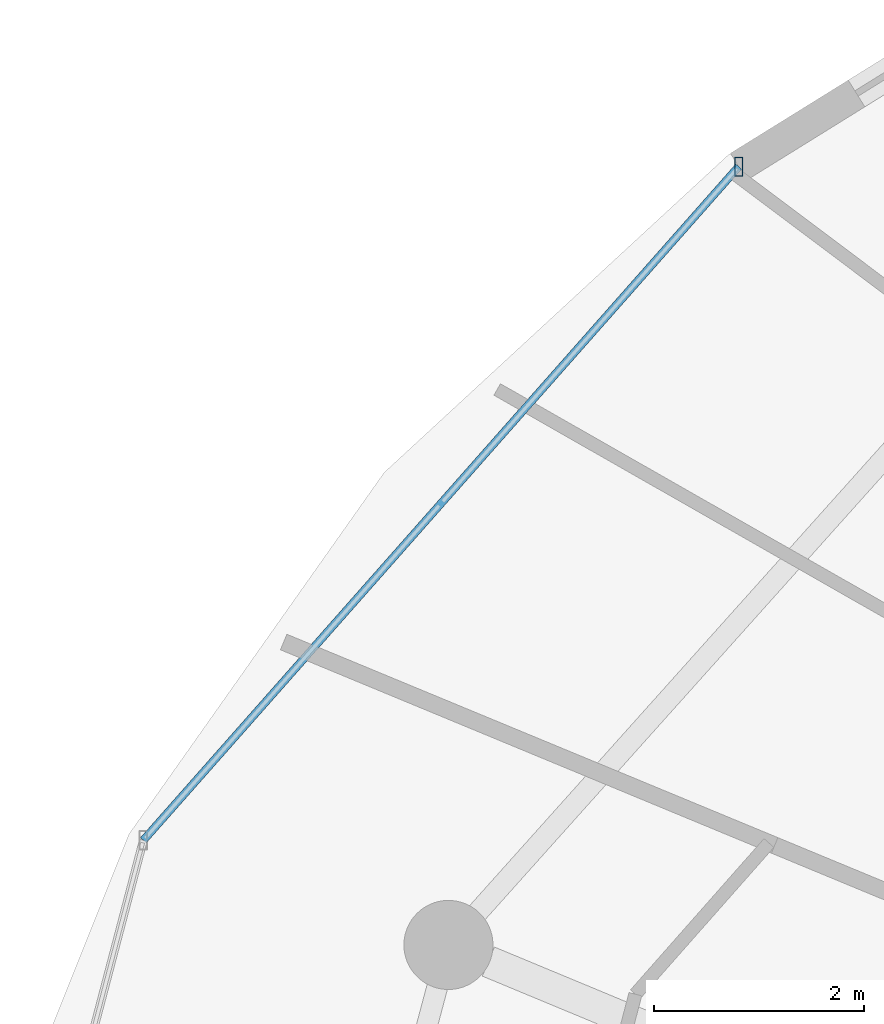
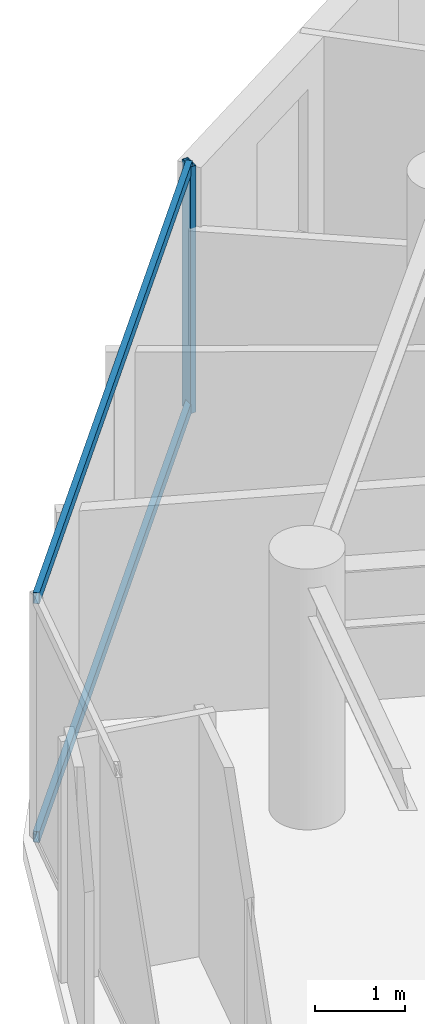
# One storey, part 16 of 31: 3 members, 1 element without a shape of its own.
"""IFC4 building model written with IfcOpenShell, lengths in metres."""

from ifc_helpers import new_model, si_unit, direction, frame, origin, origin_2d, place, context, subcontext, project, spatial, hollow_rectangle, extrude, material, material_profile, profile_set, type_object, element, aggregate, save


model = new_model("IFC4")

# Units and contexts
model_context = context("Model", 3, precision=1e-05, world=origin(), true_north=direction((0.0, 1.0)))
body_context = subcontext(model_context, "Body", "Model", "MODEL_VIEW")
ifc_project = project(units=[si_unit("LENGTHUNIT", "METRE"), si_unit("AREAUNIT", "SQUARE_METRE"), si_unit("VOLUMEUNIT", "CUBIC_METRE"), si_unit("PLANEANGLEUNIT", "RADIAN"), si_unit("MASSUNIT", "GRAM", prefix="KILO")], contexts=[model_context])

# Site, building, storey
site_placement = place(None, origin())
site = spatial("IfcSite", under=ifc_project, at=site_placement, CompositionType="ELEMENT")
building_placement = place(site_placement, origin())
building = spatial("IfcBuilding", under=site, at=building_placement, Name="Vorneva Point Tower", CompositionType="ELEMENT")
storey_placement = place(building_placement, frame((0.0, 0.0, 248.449951171875)))
storey = spatial("IfcBuildingStorey", under=building, at=storey_placement, Name="L67", CompositionType="ELEMENT", Elevation=248.449951171875)

# Curtain wall, members
ifc_material = material(Name="Pale anodised aluminium", Category="aluminium")
curtain_wall_type = type_object("IfcCurtainWallType", Name="CW-RES-SYS", PredefinedType="NOTDEFINED", material=ifc_material)
curtain_wall_placement = place(storey_placement, origin())
curtain_wall = element("IfcCurtainWall", 1, at=curtain_wall_placement, inside=storey, type_object=curtain_wall_type, Name="L67 Unitised Curtain Wall CW-L67-R03", PredefinedType="NOTDEFINED")
ifc_material_profile_1 = material_profile(ifc_material, hollow_rectangle(XDim=0.074951171875, YDim=0.179931640625, WallThickness=0.00390625, at=origin_2d()), Name="AL-MUL 180x75x4")
ifc_profile_set_1 = profile_set([ifc_material_profile_1], Name="Pale anodised aluminium")
member_type_1 = type_object("IfcMemberType", Name="CW-MUL-180", PredefinedType="MULLION", material=ifc_profile_set_1)
member_1_placement = place(storey_placement, frame((19.473876953125, 40.0078125, -0.0400390625), z_axis=(0.0, 0.0, 1.0), x_axis=(1.0, 0.0, 0.0)))
member_1 = element("IfcMember", 2, at=member_1_placement, type_object=member_type_1, Name="CW-L67-R03 Mullion 01", PredefinedType="MULLION", context=body_context, shape_type="SweptSolid", body=[
    extrude(hollow_rectangle(XDim=0.074951171875, YDim=0.179931640625, WallThickness=0.00390625, at=origin_2d()), origin(), (0.0, 0.0, 1.0), 3.360107421875),
])
ifc_material_profile_2 = material_profile(ifc_material, hollow_rectangle(XDim=0.074951171875, YDim=0.14990234375, WallThickness=0.00390625, at=origin_2d()), Name="AL-TRN 150x75x4")
ifc_profile_set_2 = profile_set([ifc_material_profile_2], Name="Pale anodised aluminium")
member_type_2 = type_object("IfcMemberType", Name="CW-TRN-150", PredefinedType="USERDEFINED", material=ifc_profile_set_2)
member_2_placement = place(storey_placement, frame((19.473876953125, 40.0078125, 0.02001953125), z_axis=(-0.662196681357, -0.74933007093, 0.0), x_axis=(0.74933007093, -0.662196681357, 0.0)))
member_2 = element("IfcMember", 3, at=member_2_placement, type_object=member_type_2, Name="CW-L67-R03 Transom 01.1", ObjectType="TRANSOM", PredefinedType="USERDEFINED", context=body_context, shape_type="SweptSolid", body=[
    extrude(hollow_rectangle(XDim=0.074951171875, YDim=0.14990234375, WallThickness=0.00390625, at=origin_2d()), origin(), (0.0, 0.0, 1.0), 8.57666015625),
])
member_3_placement = place(storey_placement, frame((19.473876953125, 40.0078125, 3.27001953125), z_axis=(-0.662196681357, -0.74933007093, 0.0), x_axis=(0.74933007093, -0.662196681357, 0.0)))
member_3 = element("IfcMember", 4, at=member_3_placement, type_object=member_type_2, Name="CW-L67-R03 Transom 01.2", ObjectType="TRANSOM", PredefinedType="USERDEFINED", context=body_context, shape_type="SweptSolid", body=[
    extrude(hollow_rectangle(XDim=0.074951171875, YDim=0.14990234375, WallThickness=0.00390625, at=origin_2d()), origin(), (0.0, 0.0, 1.0), 8.57666015625),
])
aggregate(curtain_wall, [member_1, member_2, member_3])

save(model, "model.ifc")
